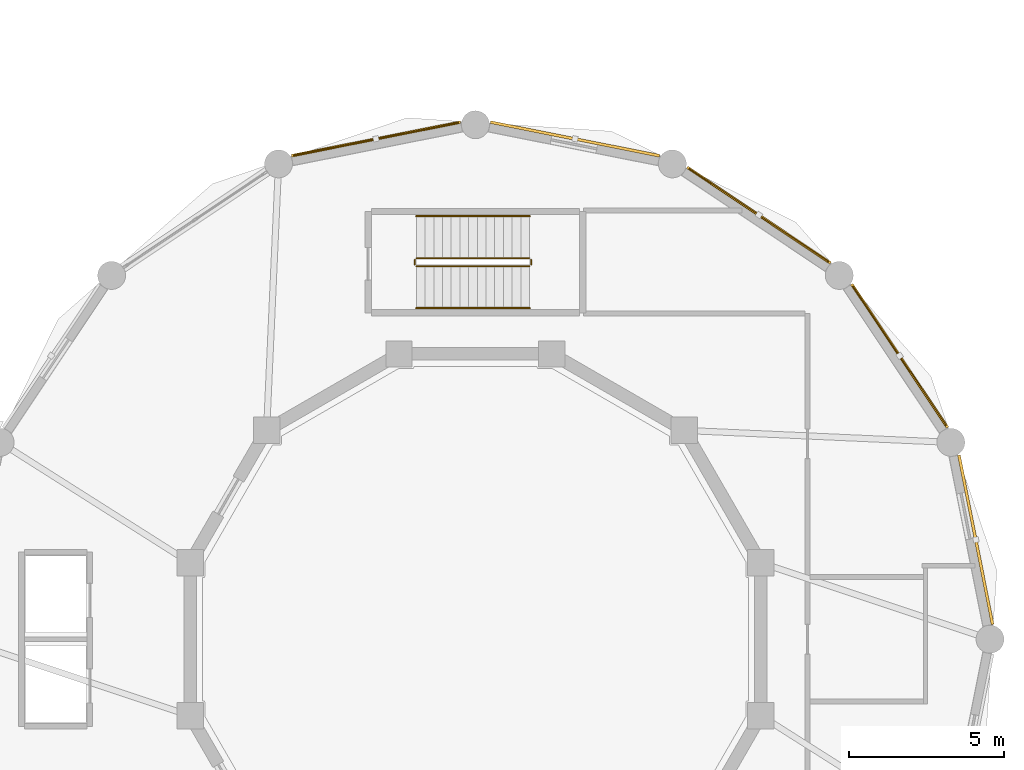
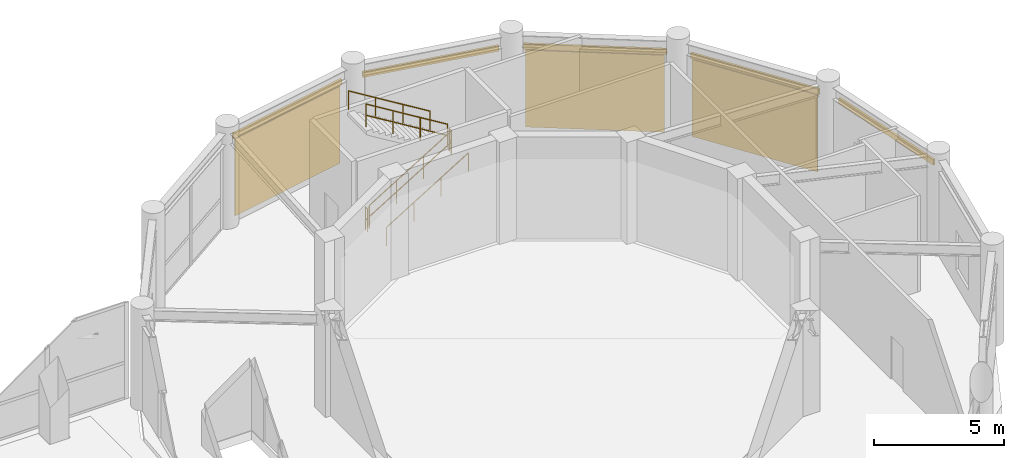
# One storey, part 47 of 48: 6 railings, 5 shading devices, 3 coverings.
"""IFC4 building model written with IfcOpenShell, lengths in metres."""

from ifc_helpers import new_model, si_unit, derived_unit, direction, frame, origin, origin_2d, place, context, subcontext, project, spatial, polyline, hollow_rectangle, circle, outline, extrude, source, transform, mapped, material, layer, layer_set, material_profile, profile_set, type_object, element, save


model = new_model("IFC4")

# Units and contexts
model_context = context("Model", 3, precision=1e-05, world=origin(), true_north=direction((0.0, 1.0)))
body_context = subcontext(model_context, "Body", "Model", "MODEL_VIEW")
ifc_project = project(units=[si_unit("LENGTHUNIT", "METRE"), si_unit("AREAUNIT", "SQUARE_METRE"), si_unit("VOLUMEUNIT", "CUBIC_METRE"), si_unit("PLANEANGLEUNIT", "RADIAN"), si_unit("MASSUNIT", "GRAM", prefix="KILO"), derived_unit("THERMALTRANSMITTANCEUNIT", [(si_unit("POWERUNIT", "WATT"), 1), (si_unit("LENGTHUNIT", "METRE"), -2), (si_unit("THERMODYNAMICTEMPERATUREUNIT", "KELVIN"), -1)])], contexts=[model_context])

# Site, building, storey
site_placement = place(None, origin())
site = spatial("IfcSite", under=ifc_project, at=site_placement, CompositionType="ELEMENT")
building_placement = place(site_placement, origin())
building = spatial("IfcBuilding", under=site, at=building_placement, Name="Korsvarv Bourse and Concert Hall", CompositionType="ELEMENT")
storey_placement = place(building_placement, frame((0.0, 0.0, 4.800048828125)))
storey = spatial("IfcBuildingStorey", under=building, at=storey_placement, Name="L01", CompositionType="ELEMENT", Elevation=4.800048828125)

# Coverings
ifc_material_1 = material(Name="Warm iron-oxide extruded terracotta rainscreen tile", Category="ceramic")
ifc_layer = layer(ifc_material_1, 0.044921875)
ifc_layer_set = layer_set([ifc_layer], Name="Warm iron-oxide extruded terracotta rainscreen tile")
covering_type = type_object("IfcCoveringType", Name="COV-CLD-TC", PredefinedType="CLADDING", material=ifc_layer_set)
covering_1_placement = place(storey_placement, origin())
element("IfcCovering", 1, at=covering_1_placement, inside=storey, type_object=covering_type, Name="L01 fluted terracotta cladding panel EW-L01-CHD02", PredefinedType="CLADDING", context=body_context, shape_type="SweptSolid", body=[
    extrude(outline(polyline([(121.9052734375, 42.853271484375), (118.912109375, 47.332763671875), (118.949462890625, 47.35791015625), (121.942626953125, 42.878173828125), (121.9052734375, 42.853271484375)])), origin(), (0.0, 0.0, 1.0), 3.6298828125),
])
covering_2_placement = place(storey_placement, origin())
element("IfcCovering", 2, at=covering_2_placement, inside=storey, type_object=covering_type, Name="L01 fluted terracotta cladding panel EW-L01-CHD03", PredefinedType="CLADDING", context=body_context, shape_type="SweptSolid", body=[
    extrude(outline(polyline([(118.1328125, 48.112060546875), (113.6533203125, 51.105224609375), (113.67822265625, 51.142578125), (118.15771484375, 48.1494140625), (118.1328125, 48.112060546875)])), origin(), (0.0, 0.0, 1.0), 3.6298828125),
])
covering_3_placement = place(storey_placement, origin())
element("IfcCovering", 3, at=covering_3_placement, inside=storey, type_object=covering_type, Name="L01 fluted terracotta cladding panel EW-L01-CHD05", PredefinedType="CLADDING", context=body_context, shape_type="SweptSolid", body=[
    extrude(outline(polyline([(106.248779296875, 52.577880859375), (100.965087890625, 51.527099609375), (100.956298828125, 51.571044921875), (106.239990234375, 52.6220703125), (106.248779296875, 52.577880859375)])), origin(), (0.0, 0.0, 1.0), 3.6298828125),
])

# Railings
ifc_material_2 = material(Name="Painted Steel S355 stair well guardrail", Category="steel")
railing_type_1 = type_object("IfcRailingType", Name="RL-ST-GRD", PredefinedType="GUARDRAIL", material=ifc_material_2)
railing_1_placement = place(storey_placement, frame((104.89990234375, 48.0, 0.17138671875)))
element("IfcRailing", 4, at=railing_1_placement, inside=storey, type_object=railing_type_1, Name="L01 ST-CH1 stair guard 1", PredefinedType="GUARDRAIL", context=body_context, shape_type="SweptSolid", body=[
    extrude(circle(Radius=0.02392578125, at=origin_2d()), frame((0.0, 0.0, 1.076171875), z_axis=(0.852865859571, 0.0, 0.52213008492), x_axis=(0.0, 1.0, 0.0)), (0.0, 0.0, 1.0), 4.26806640625),
    extrude(circle(Radius=0.02392578125, at=origin_2d()), frame((0.0, 0.0, 0.550048828125), z_axis=(0.852865859571, 0.0, 0.52213008492), x_axis=(0.0, 1.0, 0.0)), (0.0, 0.0, 1.0), 4.26806640625),
    extrude(circle(Radius=0.02099609375, at=origin_2d()), origin(), (0.0, 0.0, 1.0), 1.052001953125),
    extrude(circle(Radius=0.02099609375, at=origin_2d()), frame((1.21337890625, 0.0, 0.742919921875)), (0.0, 0.0, 1.0), 1.052001953125),
    extrude(circle(Radius=0.02099609375, at=origin_2d()), frame((2.4267578125, 0.0, 1.485595703125)), (0.0, 0.0, 1.0), 1.052001953125),
    extrude(circle(Radius=0.02099609375, at=origin_2d()), frame((3.64013671875, 0.0, 2.228515625)), (0.0, 0.0, 1.0), 1.052001953125),
])
railing_2_placement = place(storey_placement, frame((108.590087890625, 48.050048828125, 2.39990234375)))
element("IfcRailing", 5, at=railing_2_placement, inside=storey, type_object=railing_type_1, Name="L01 ST-CH1 stair guard 2", PredefinedType="GUARDRAIL", context=body_context, shape_type="SweptSolid", body=[
    extrude(circle(Radius=0.02392578125, at=origin_2d()), frame((0.0, 0.0, 1.076171875), z_axis=(0.0, 1.0, 0.0), x_axis=(-1.0, 0.0, 0.0)), (0.0, 0.0, 1.0), 0.159912109375),
    extrude(circle(Radius=0.02392578125, at=origin_2d()), frame((0.0, 0.0, 0.550048828125), z_axis=(0.0, 1.0, 0.0), x_axis=(-1.0, 0.0, 0.0)), (0.0, 0.0, 1.0), 0.159912109375),
    extrude(circle(Radius=0.02099609375, at=origin_2d()), origin(), (0.0, 0.0, 1.0), 1.052001953125),
    extrude(circle(Radius=0.02099609375, at=origin_2d()), frame((0.0, 0.159912109375, 0.0)), (0.0, 0.0, 1.0), 1.052001953125),
])
railing_3_placement = place(storey_placement, frame((108.5400390625, 48.260009765625, 2.5712890625)))
element("IfcRailing", 6, at=railing_3_placement, inside=storey, type_object=railing_type_1, Name="L01 ST-CH1 stair guard 3", PredefinedType="GUARDRAIL", context=body_context, shape_type="SweptSolid", body=[
    extrude(circle(Radius=0.02392578125, at=origin_2d()), frame((0.0, 0.0, 1.076171875), z_axis=(-0.852840387347, 0.0, 0.522171689878), x_axis=(0.0, -1.0, 0.0)), (0.0, 0.0, 1.0), 4.268310546875),
    extrude(circle(Radius=0.02392578125, at=origin_2d()), frame((0.0, 0.0, 0.550048828125), z_axis=(-0.852840387347, 0.0, 0.522171689878), x_axis=(0.0, -1.0, 0.0)), (0.0, 0.0, 1.0), 4.268310546875),
    extrude(circle(Radius=0.02099609375, at=origin_2d()), origin(), (0.0, 0.0, 1.0), 1.052001953125),
    extrude(circle(Radius=0.02099609375, at=origin_2d()), frame((-1.21337890625, 0.0, 0.742919921875)), (0.0, 0.0, 1.0), 1.052001953125),
    extrude(circle(Radius=0.02099609375, at=origin_2d()), frame((-2.4267578125, 0.0, 1.48583984375)), (0.0, 0.0, 1.0), 1.052001953125),
    extrude(circle(Radius=0.02099609375, at=origin_2d()), frame((-3.64013671875, 0.0, 2.228759765625)), (0.0, 0.0, 1.0), 1.052001953125),
])
railing_4_placement = place(storey_placement, frame((104.85009765625, 48.050048828125, 0.0)))
element("IfcRailing", 7, at=railing_4_placement, inside=storey, type_object=railing_type_1, Name="L01 ST-CH1 stair guard 4", PredefinedType="GUARDRAIL", context=body_context, shape_type="SweptSolid", body=[
    extrude(circle(Radius=0.02392578125, at=origin_2d()), frame((0.0, 0.0, 1.076171875), z_axis=(0.0, 1.0, 0.0), x_axis=(-1.0, 0.0, 0.0)), (0.0, 0.0, 1.0), 0.159912109375),
    extrude(circle(Radius=0.02392578125, at=origin_2d()), frame((0.0, 0.0, 0.550048828125), z_axis=(0.0, 1.0, 0.0), x_axis=(-1.0, 0.0, 0.0)), (0.0, 0.0, 1.0), 0.159912109375),
    extrude(circle(Radius=0.02099609375, at=origin_2d()), origin(), (0.0, 0.0, 1.0), 1.052001953125),
    extrude(circle(Radius=0.02099609375, at=origin_2d()), frame((0.0, 0.159912109375, 0.0)), (0.0, 0.0, 1.0), 1.052001953125),
])
ifc_material_3 = material(Name="Brushed stainless Steel S355 tubular handrail", Category="steel")
railing_type_2 = type_object("IfcRailingType", Name="RL-ST-HND", PredefinedType="HANDRAIL", material=ifc_material_3)
railing_5_placement = place(storey_placement, frame((104.89990234375, 46.64990234375, 0.17138671875)))
element("IfcRailing", 8, at=railing_5_placement, inside=storey, type_object=railing_type_2, Name="L01 ST-CH1 stair handrail 1", PredefinedType="HANDRAIL", context=body_context, shape_type="SweptSolid", body=[
    extrude(circle(Radius=0.02392578125, at=origin_2d()), frame((0.0, 0.0, 0.8759765625), z_axis=(0.852865859571, 0.0, 0.52213008492), x_axis=(0.0, 1.0, 0.0)), (0.0, 0.0, 1.0), 4.26806640625),
    extrude(circle(Radius=0.02099609375, at=origin_2d()), origin(), (0.0, 0.0, 1.0), 0.851806640625),
    extrude(circle(Radius=0.02099609375, at=origin_2d()), frame((1.21337890625, 0.0, 0.742919921875)), (0.0, 0.0, 1.0), 0.851806640625),
    extrude(circle(Radius=0.02099609375, at=origin_2d()), frame((2.4267578125, 0.0, 1.485595703125)), (0.0, 0.0, 1.0), 0.851806640625),
    extrude(circle(Radius=0.02099609375, at=origin_2d()), frame((3.64013671875, 0.0, 2.228515625)), (0.0, 0.0, 1.0), 0.851806640625),
])
railing_6_placement = place(storey_placement, frame((108.5400390625, 49.610107421875, 2.5712890625)))
element("IfcRailing", 9, at=railing_6_placement, inside=storey, type_object=railing_type_2, Name="L01 ST-CH1 stair handrail 2", PredefinedType="HANDRAIL", context=body_context, shape_type="SweptSolid", body=[
    extrude(circle(Radius=0.02392578125, at=origin_2d()), frame((0.0, 0.0, 0.8759765625), z_axis=(-0.852840387347, 0.0, 0.522171689878), x_axis=(0.0, -1.0, 0.0)), (0.0, 0.0, 1.0), 4.268310546875),
    extrude(circle(Radius=0.02099609375, at=origin_2d()), origin(), (0.0, 0.0, 1.0), 0.851806640625),
    extrude(circle(Radius=0.02099609375, at=origin_2d()), frame((-1.21337890625, 0.0, 0.742919921875)), (0.0, 0.0, 1.0), 0.851806640625),
    extrude(circle(Radius=0.02099609375, at=origin_2d()), frame((-2.4267578125, 0.0, 1.48583984375)), (0.0, 0.0, 1.0), 0.851806640625),
    extrude(circle(Radius=0.02099609375, at=origin_2d()), frame((-3.64013671875, 0.0, 2.228759765625)), (0.0, 0.0, 1.0), 0.851806640625),
])

# Shading devices
ifc_material_4 = material(Name="Glazed extruded architectural terracotta", Category="ceramic")
ifc_material_profile = material_profile(ifc_material_4, hollow_rectangle(XDim=0.090087890625, YDim=0.260009765625, WallThickness=0.011962890625, at=origin_2d()), Name="TC-BAG 90x260")
ifc_profile_set = profile_set([ifc_material_profile], Name="Glazed extruded architectural terracotta")
shading_device_type = type_object("IfcShadingDeviceType", Name="SHD-BAG-1", PredefinedType="USERDEFINED", material=ifc_profile_set)
shared_shape = source(origin(), body_context, "Body", "SweptSolid", [
    extrude(hollow_rectangle(XDim=0.090087890625, YDim=0.260009765625, WallThickness=0.011962890625, at=origin_2d()), origin(), (0.0, 0.0, 1.0), 5.54736328125),
])
for number, where, z_axis, x_axis, name in (
    (10, (123.432861328125, 36.48046875, 3.7900390625), (-0.195100393406, 0.980783277025, 0.0), (-0.980783277025, -0.195100393406, 0.0), "L01 terracotta baguette sunshade EW-L01-CHD01"),
    (11, (121.98291015625, 42.808837890625, 3.7900390625), (-0.555573305798, 0.831467559129, 0.0), (-0.831467559129, -0.555573305798, 0.0), "L01 terracotta baguette sunshade EW-L01-CHD02"),
    (12, (118.221435546875, 48.100830078125, 3.7900390625), (-0.831467559129, 0.555573305798, 0.0), (-0.555573305798, -0.831467559129, 0.0), "L01 terracotta baguette sunshade EW-L01-CHD03"),
    (13, (112.72119140625, 51.550537109375, 3.7900390625), (-0.980783277025, 0.195100393406, 0.0), (-0.195100393406, -0.980783277025, 0.0), "L01 terracotta baguette sunshade EW-L01-CHD04"),
    (14, (106.319580078125, 52.6328125, 3.7900390625), (-0.980783277025, -0.195100393406, 0.0), (0.195100393406, -0.980783277025, 0.0), "L01 terracotta baguette sunshade EW-L01-CHD05"),
):
    element("IfcShadingDevice", number, at=place(storey_placement, frame(where, z_axis=z_axis, x_axis=x_axis)), inside=storey, type_object=shading_device_type, Name=name, ObjectType="BAGUETTE", PredefinedType="USERDEFINED", context=body_context, shape_type="MappedRepresentation", body=[
        mapped(shared_shape, transform((0.0, 0.0, 0.0), scale=1.0)),
    ])

save(model, "model.ifc")
